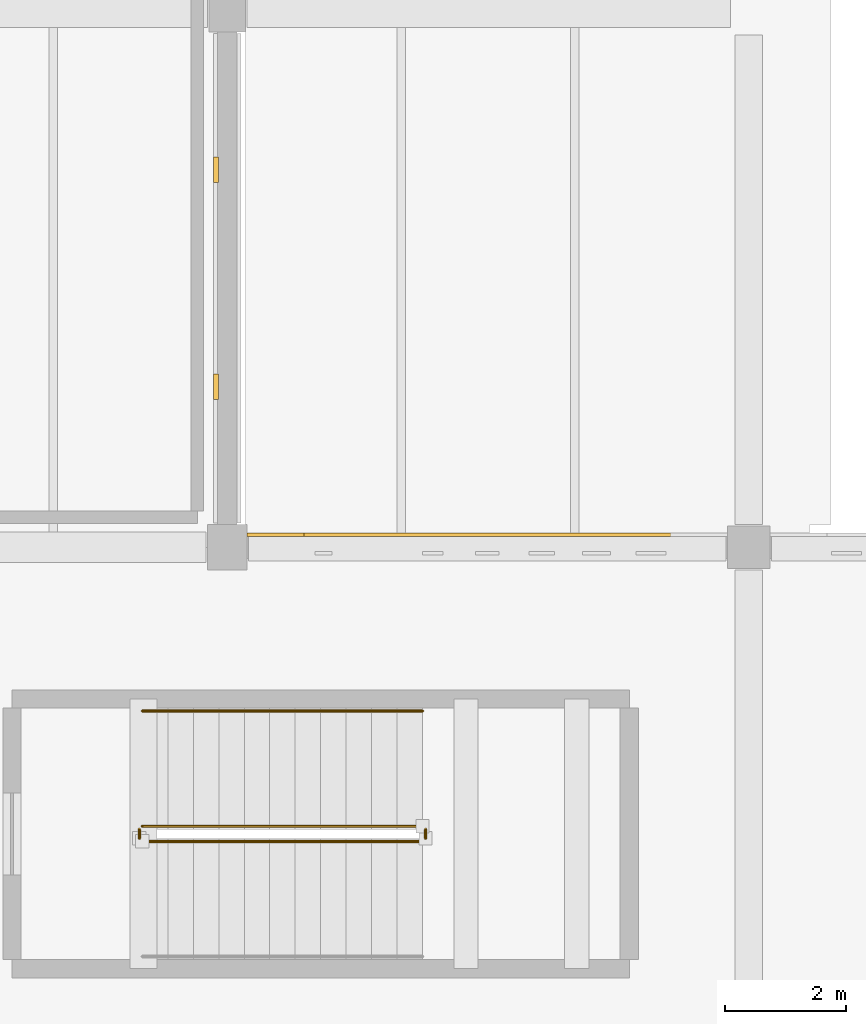
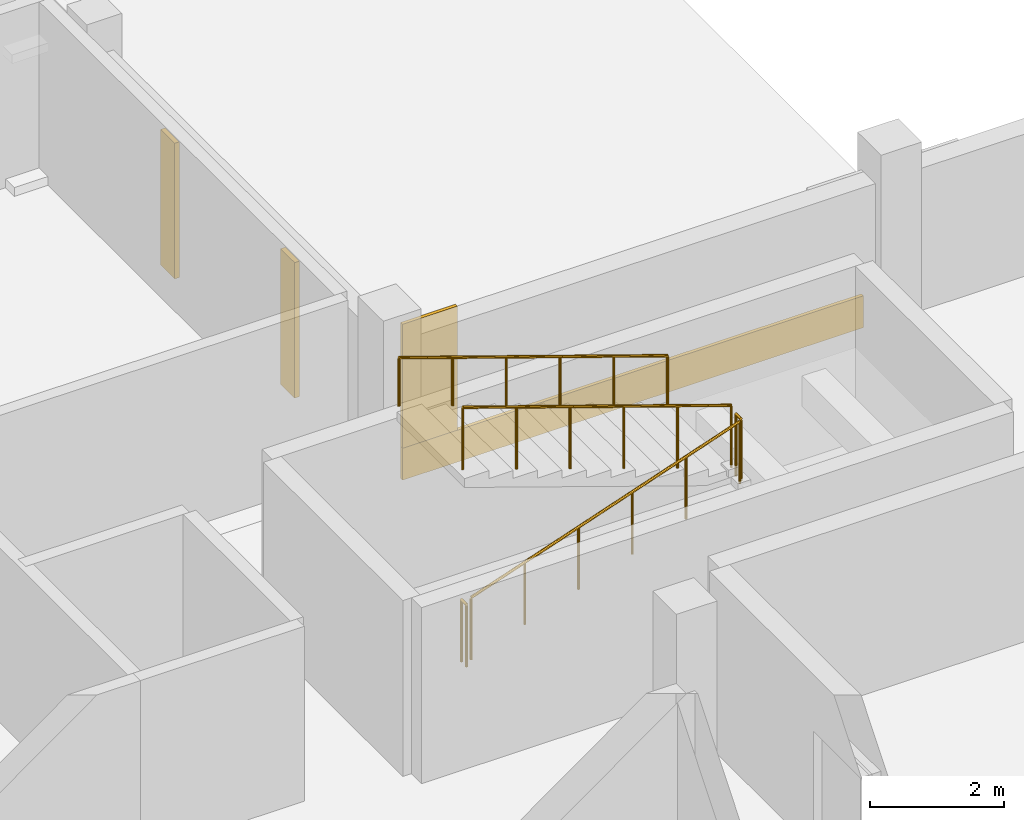
# One storey, part 50 of 55: 5 railings, 4 coverings.
"""IFC4 building model written with IfcOpenShell, lengths in metres."""

from ifc_helpers import new_model, si_unit, direction, frame, origin, origin_2d, place, context, subcontext, project, spatial, rectangle, circle, extrude, material, layer, layer_set, type_object, element, save


model = new_model("IFC4")

# Units and contexts
model_context = context("Model", 3, precision=1e-05, world=origin(), true_north=direction((0.0, 1.0)))
body_context = subcontext(model_context, "Body", "Model", "MODEL_VIEW")
ifc_project = project(units=[si_unit("LENGTHUNIT", "METRE"), si_unit("AREAUNIT", "SQUARE_METRE"), si_unit("VOLUMEUNIT", "CUBIC_METRE"), si_unit("PLANEANGLEUNIT", "RADIAN"), si_unit("MASSUNIT", "GRAM", prefix="KILO")], contexts=[model_context])

# Site, building, storey
site_placement = place(None, origin())
site = spatial("IfcSite", under=ifc_project, at=site_placement, CompositionType="ELEMENT")
building_placement = place(site_placement, origin())
building = spatial("IfcBuilding", under=site, at=building_placement, Name="Varnakota Cinema and Media Centre", CompositionType="ELEMENT")
storey_placement = place(building_placement, frame((0.0, 0.0, 15.60009765625)))
storey = spatial("IfcBuildingStorey", under=building, at=storey_placement, Name="L04", CompositionType="ELEMENT", Elevation=15.60009765625)

# Coverings
ifc_material_1 = material(Name="Pale Tandur limestone cladding", Category="masonry")
ifc_layer_1 = layer(ifc_material_1, 0.06005859375)
ifc_layer_set_1 = layer_set([ifc_layer_1], Name="Pale Tandur limestone cladding")
covering_type = type_object("IfcCoveringType", Name="COV-TANDUR-ASHLAR-60", PredefinedType="CLADDING", material=ifc_layer_set_1)
covering_1_placement = place(storey_placement, frame((30.08740234375, 35.405029296875, -0.250244140625), z_axis=(0.0, 0.0, 1.0), x_axis=(1.0, 0.0, 0.0)))
element("IfcCovering", 1, at=covering_1_placement, inside=storey, type_object=covering_type, Name="L04 V4 pale Tandur stone spandrel ashlar V4-N-01", PredefinedType="CLADDING", context=body_context, shape_type="SweptSolid", body=[
    extrude(rectangle(XDim=7.925048828125, YDim=0.06005859375, at=origin_2d()), origin(), (0.0, 0.0, 1.0), 0.580078125),
])
covering_2_placement = place(storey_placement, frame((26.59619140625, 35.405029296875, 0.330078125), z_axis=(0.0, 0.0, 1.0), x_axis=(1.0, 0.0, 0.0)))
element("IfcCovering", 2, at=covering_2_placement, inside=storey, type_object=covering_type, Name="L04 V4 pale Tandur stone left corner ashlar V4-N-01", PredefinedType="CLADDING", context=body_context, shape_type="SweptSolid", body=[
    extrude(rectangle(XDim=0.9423828125, YDim=0.06005859375, at=origin_2d()), origin(), (0.0, 0.0, 1.0), 2.2548828125),
])
for number, where, z_axis, x_axis, name in (
    (3, (25.614990234375, 37.85009765625, 0.06005859375), (0.0, 0.0, 1.0), (0.0, 1.0, 0.0), "L04 acoustic studio stone relief pilaster V5-E-1.1"),
    (4, (25.614990234375, 41.425048828125, 0.06005859375), (0.0, 0.0, 1.0), (0.0, 1.0, 0.0), "L04 acoustic studio stone relief pilaster V5-E-1.2"),
):
    element("IfcCovering", number, at=place(storey_placement, frame(where, z_axis=z_axis, x_axis=x_axis)), inside=storey, type_object=covering_type, Name=name, PredefinedType="CLADDING", context=body_context, shape_type="SweptSolid", body=[
        extrude(rectangle(XDim=0.419921875, YDim=0.080078125, at=origin_2d()), origin(), (0.0, 0.0, 1.0), 2.465087890625),
    ])

# Railings
ifc_material_2 = material(Name="Structural steel Grade 350 (E350)", Category="steel")
ifc_layer_2 = layer(ifc_material_2, 0.050048828125)
ifc_layer_set_2 = layer_set([ifc_layer_2], Name="Structural steel Grade 350 (E350)")
railing_type_1 = type_object("IfcRailingType", Name="RAIL-STAIR-GUARD-1150", PredefinedType="GUARDRAIL", material=ifc_layer_set_2)
railing_1_placement = place(storey_placement, frame((24.39990234375, 30.35009765625, 0.1435546875)))
element("IfcRailing", 5, at=railing_1_placement, inside=storey, type_object=railing_type_1, Name="L04 ST-02 stair guard 1", PredefinedType="GUARDRAIL", context=body_context, shape_type="SweptSolid", body=[
    extrude(circle(Radius=0.02392578125, at=origin_2d()), frame((0.0, 0.0, 1.1259765625), z_axis=(0.946118040162, 0.0, 0.323821948115), x_axis=(0.0, 1.0, 0.0)), (0.0, 0.0, 1.0), 4.88330078125),
    extrude(circle(Radius=0.02099609375, at=origin_2d()), origin(), (0.0, 0.0, 1.0), 1.101806640625),
    extrude(circle(Radius=0.02099609375, at=origin_2d()), frame((0.924072265625, 0.0, 0.316162109375)), (0.0, 0.0, 1.0), 1.101806640625),
    extrude(circle(Radius=0.02099609375, at=origin_2d()), frame((1.84814453125, 0.0, 0.632568359375)), (0.0, 0.0, 1.0), 1.101806640625),
    extrude(circle(Radius=0.02099609375, at=origin_2d()), frame((2.77197265625, 0.0, 0.94873046875)), (0.0, 0.0, 1.0), 1.101806640625),
    extrude(circle(Radius=0.02099609375, at=origin_2d()), frame((3.696044921875, 0.0, 1.26513671875)), (0.0, 0.0, 1.0), 1.101806640625),
    extrude(circle(Radius=0.02099609375, at=origin_2d()), frame((4.6201171875, 0.0, 1.581298828125)), (0.0, 0.0, 1.0), 1.101806640625),
])
railing_2_placement = place(storey_placement, frame((29.070068359375, 30.39990234375, 1.724853515625)))
element("IfcRailing", 6, at=railing_2_placement, inside=storey, type_object=railing_type_1, Name="L04 ST-02 stair guard 2", PredefinedType="GUARDRAIL", context=body_context, shape_type="SweptSolid", body=[
    extrude(circle(Radius=0.02392578125, at=origin_2d()), frame((0.0, 0.0, 1.1259765625), z_axis=(0.0, 1.0, 0.0), x_axis=(-1.0, 0.0, 0.0)), (0.0, 0.0, 1.0), 0.150146484375),
    extrude(circle(Radius=0.02099609375, at=origin_2d()), origin(), (0.0, 0.0, 1.0), 1.101806640625),
    extrude(circle(Radius=0.02099609375, at=origin_2d()), frame((0.0, 0.150146484375, 0.0)), (0.0, 0.0, 1.0), 1.101806640625),
])
railing_3_placement = place(storey_placement, frame((29.02001953125, 30.60009765625, 1.86865234375)))
element("IfcRailing", 7, at=railing_3_placement, inside=storey, type_object=railing_type_1, Name="L04 ST-02 stair guard 3", PredefinedType="GUARDRAIL", context=body_context, shape_type="SweptSolid", body=[
    extrude(circle(Radius=0.02392578125, at=origin_2d()), frame((0.0, 0.0, 1.1259765625), z_axis=(-0.946118040162, 0.0, 0.323821948115), x_axis=(0.0, -1.0, 0.0)), (0.0, 0.0, 1.0), 4.88330078125),
    extrude(circle(Radius=0.02099609375, at=origin_2d()), origin(), (0.0, 0.0, 1.0), 1.101806640625),
    extrude(circle(Radius=0.02099609375, at=origin_2d()), frame((-0.924072265625, 0.0, 0.316162109375)), (0.0, 0.0, 1.0), 1.101806640625),
    extrude(circle(Radius=0.02099609375, at=origin_2d()), frame((-1.84814453125, 0.0, 0.632568359375)), (0.0, 0.0, 1.0), 1.101806640625),
    extrude(circle(Radius=0.02099609375, at=origin_2d()), frame((-2.77197265625, 0.0, 0.94873046875)), (0.0, 0.0, 1.0), 1.101806640625),
    extrude(circle(Radius=0.02099609375, at=origin_2d()), frame((-3.696044921875, 0.0, 1.26513671875)), (0.0, 0.0, 1.0), 1.101806640625),
    extrude(circle(Radius=0.02099609375, at=origin_2d()), frame((-4.6201171875, 0.0, 1.581298828125)), (0.0, 0.0, 1.0), 1.101806640625),
])
railing_4_placement = place(storey_placement, frame((24.35009765625, 30.39990234375, 0.0)))
element("IfcRailing", 8, at=railing_4_placement, inside=storey, type_object=railing_type_1, Name="L04 ST-02 stair guard 4", PredefinedType="GUARDRAIL", context=body_context, shape_type="SweptSolid", body=[
    extrude(circle(Radius=0.02392578125, at=origin_2d()), frame((0.0, 0.0, 1.1259765625), z_axis=(0.0, 1.0, 0.0), x_axis=(-1.0, 0.0, 0.0)), (0.0, 0.0, 1.0), 0.150146484375),
    extrude(circle(Radius=0.02099609375, at=origin_2d()), origin(), (0.0, 0.0, 1.0), 1.101806640625),
    extrude(circle(Radius=0.02099609375, at=origin_2d()), frame((0.0, 0.150146484375, 0.0)), (0.0, 0.0, 1.0), 1.101806640625),
])
ifc_material_3 = material(Name="Structural steel Grade 350 (E350)", Category="steel")
ifc_layer_3 = layer(ifc_material_3, 0.048095703125)
ifc_layer_set_3 = layer_set([ifc_layer_3], Name="Structural steel Grade 350 (E350)")
railing_type_2 = type_object("IfcRailingType", Name="RAIL-STAIR-HAND-900", PredefinedType="HANDRAIL", material=ifc_layer_set_3)
railing_5_placement = place(storey_placement, frame((29.02001953125, 32.5, 1.86865234375)))
element("IfcRailing", 9, at=railing_5_placement, inside=storey, type_object=railing_type_2, Name="L04 ST-02 stair handrail 2", PredefinedType="HANDRAIL", context=body_context, shape_type="SweptSolid", body=[
    extrude(circle(Radius=0.02392578125, at=origin_2d()), frame((0.0, 0.0, 0.8759765625), z_axis=(-0.946118040162, 0.0, 0.323821948115), x_axis=(0.0, -1.0, 0.0)), (0.0, 0.0, 1.0), 4.88330078125),
    extrude(circle(Radius=0.02099609375, at=origin_2d()), origin(), (0.0, 0.0, 1.0), 0.851806640625),
    extrude(circle(Radius=0.02099609375, at=origin_2d()), frame((-0.924072265625, 0.0, 0.316162109375)), (0.0, 0.0, 1.0), 0.851806640625),
    extrude(circle(Radius=0.02099609375, at=origin_2d()), frame((-1.84814453125, 0.0, 0.632568359375)), (0.0, 0.0, 1.0), 0.851806640625),
    extrude(circle(Radius=0.02099609375, at=origin_2d()), frame((-2.77197265625, 0.0, 0.94873046875)), (0.0, 0.0, 1.0), 0.851806640625),
    extrude(circle(Radius=0.02099609375, at=origin_2d()), frame((-3.696044921875, 0.0, 1.26513671875)), (0.0, 0.0, 1.0), 0.851806640625),
    extrude(circle(Radius=0.02099609375, at=origin_2d()), frame((-4.6201171875, 0.0, 1.581298828125)), (0.0, 0.0, 1.0), 0.851806640625),
])

save(model, "model.ifc")
